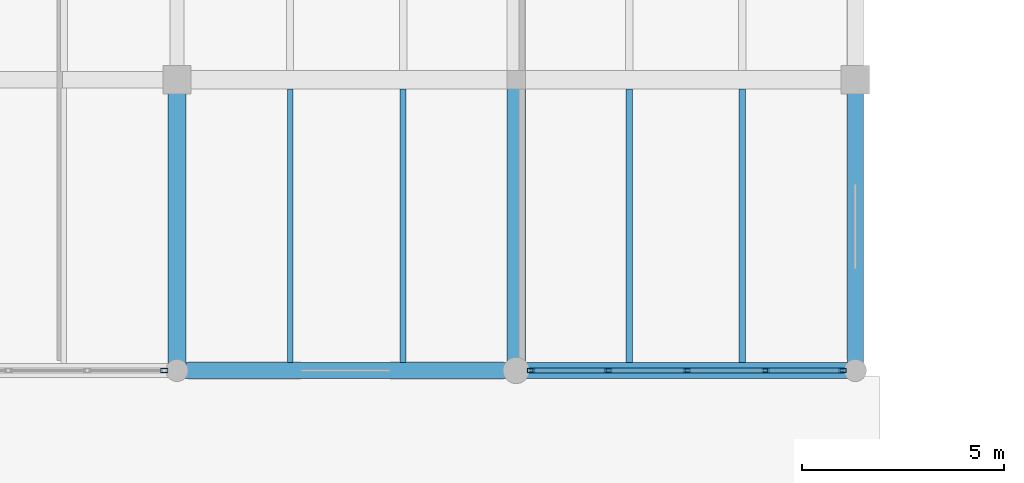
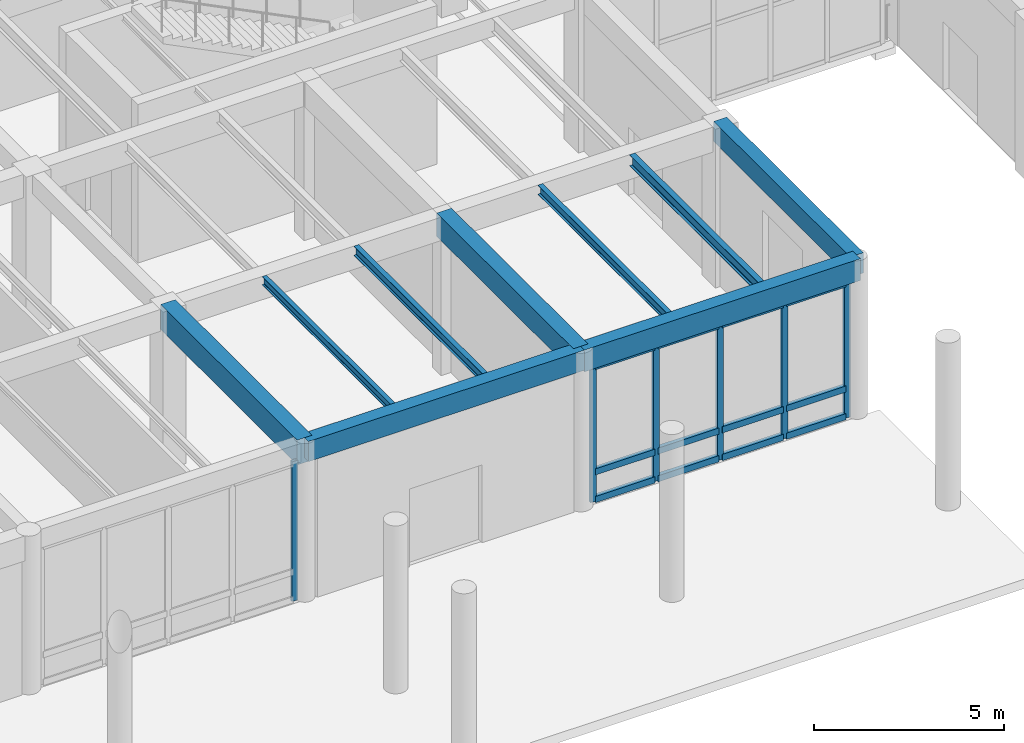
# One storey, part 43 of 169: 18 members, 9 beams, 2 elements without a shape of their own.
"""IFC4 building model written with IfcOpenShell, lengths in metres."""

from ifc_helpers import new_model, si_unit, direction, frame, origin, origin_2d, place, context, subcontext, project, spatial, rectangle, hollow_rectangle, i_section, extrude, material, layer, layer_set, material_profile, profile_set, type_object, element, aggregate, save


model = new_model("IFC4")

# Units and contexts
model_context = context("Model", 3, precision=1e-05, world=origin(), true_north=direction((0.0, 1.0)))
body_context = subcontext(model_context, "Body", "Model", "MODEL_VIEW")
ifc_project = project(units=[si_unit("LENGTHUNIT", "METRE"), si_unit("AREAUNIT", "SQUARE_METRE"), si_unit("VOLUMEUNIT", "CUBIC_METRE"), si_unit("PLANEANGLEUNIT", "RADIAN"), si_unit("MASSUNIT", "GRAM", prefix="KILO")], contexts=[model_context])

# Site, building, storey
site_placement = place(None, origin())
site = spatial("IfcSite", under=ifc_project, at=site_placement, CompositionType="ELEMENT")
building_placement = place(site_placement, origin())
building = spatial("IfcBuilding", under=site, at=building_placement, Name="Mazaris Harbour Polytechnic", CompositionType="ELEMENT")
storey_placement = place(building_placement, origin())
storey = spatial("IfcBuildingStorey", under=building, at=storey_placement, Name="L00", CompositionType="ELEMENT", Elevation=0.0)

# Curtain wall, member
ifc_material_1 = material(Name="Anodised Bronze Aluminium and Low-E Glass", Category="aluminium")
ifc_layer = layer(ifc_material_1, 0.179931640625, Name="Anodised Bronze Aluminium and Low-E Glass")
ifc_layer_set = layer_set([ifc_layer], Name="Anodised Bronze Aluminium and Low-E Glass")
curtain_wall_type = type_object("IfcCurtainWallType", Name="Harbour Colonnade Curtain Wall", PredefinedType="NOTDEFINED", material=ifc_layer_set)
curtain_wall_1_placement = place(storey_placement, origin())
curtain_wall_1 = element("IfcCurtainWall", 1, at=curtain_wall_1_placement, inside=storey, type_object=curtain_wall_type, Name="V3 L00 Curtain Wall 62", PredefinedType="NOTDEFINED")
ifc_material_2 = material(Name="Anodised Bronze Steel S355", Category="steel")
ifc_material_profile_1 = material_profile(ifc_material_2, hollow_rectangle(XDim=0.10009765625, YDim=0.179931640625, WallThickness=0.008056640625, at=origin_2d()), Name="RHS 100x180x8.0")
ifc_profile_set_1 = profile_set([ifc_material_profile_1], Name="Anodised Bronze Steel S355")
member_type_1 = type_object("IfcMemberType", Name="Curtain Mullion RHS100x180", PredefinedType="MULLION", material=ifc_profile_set_1)
member_1_placement = place(storey_placement, frame((95.68310546875, 7.199951171875, 0.0), z_axis=(0.0, 0.0, 1.0), x_axis=(0.0, -1.0, 0.0)))
member_1 = element("IfcMember", 2, at=member_1_placement, type_object=member_type_1, Name="CW-01 mullion 1", PredefinedType="MULLION", context=body_context, shape_type="SweptSolid", body=[
    extrude(hollow_rectangle(XDim=0.10009765625, YDim=0.179931640625, WallThickness=0.008056640625, at=origin_2d()), origin(), (0.0, 0.0, 1.0), 4.489990234375),
])
aggregate(curtain_wall_1, [member_1])

# Curtain wall, members
curtain_wall_2_placement = place(storey_placement, origin())
curtain_wall_2 = element("IfcCurtainWall", 3, at=curtain_wall_2_placement, inside=storey, type_object=curtain_wall_type, Name="V3 L00 Curtain Wall 63", PredefinedType="NOTDEFINED")
member_2_placement = place(storey_placement, frame((112.48291015625, 7.199951171875, 0.0), z_axis=(0.0, 0.0, 1.0), x_axis=(0.0, -1.0, 0.0)))
member_2 = element("IfcMember", 4, at=member_2_placement, type_object=member_type_1, Name="CW-01 mullion 1", PredefinedType="MULLION", context=body_context, shape_type="SweptSolid", body=[
    extrude(hollow_rectangle(XDim=0.10009765625, YDim=0.179931640625, WallThickness=0.008056640625, at=origin_2d()), origin(), (0.0, 0.0, 1.0), 4.389892578125),
])
member_3_placement = place(storey_placement, frame((110.5791015625, 7.199951171875, 0.0), z_axis=(0.0, 0.0, 1.0), x_axis=(0.0, -1.0, 0.0)))
member_3 = element("IfcMember", 5, at=member_3_placement, type_object=member_type_1, Name="CW-01 mullion 2", PredefinedType="MULLION", context=body_context, shape_type="SweptSolid", body=[
    extrude(hollow_rectangle(XDim=0.10009765625, YDim=0.179931640625, WallThickness=0.008056640625, at=origin_2d()), origin(), (0.0, 0.0, 1.0), 4.389892578125),
])
member_4_placement = place(storey_placement, frame((108.625, 7.199951171875, 0.0), z_axis=(0.0, 0.0, 1.0), x_axis=(0.0, -1.0, 0.0)))
member_4 = element("IfcMember", 6, at=member_4_placement, type_object=member_type_1, Name="CW-01 mullion 3", PredefinedType="MULLION", context=body_context, shape_type="SweptSolid", body=[
    extrude(hollow_rectangle(XDim=0.10009765625, YDim=0.179931640625, WallThickness=0.008056640625, at=origin_2d()), origin(), (0.0, 0.0, 1.0), 4.389892578125),
])
member_5_placement = place(storey_placement, frame((106.6708984375, 7.199951171875, 0.0), z_axis=(0.0, 0.0, 1.0), x_axis=(0.0, -1.0, 0.0)))
member_5 = element("IfcMember", 7, at=member_5_placement, type_object=member_type_1, Name="CW-01 mullion 4", PredefinedType="MULLION", context=body_context, shape_type="SweptSolid", body=[
    extrude(hollow_rectangle(XDim=0.10009765625, YDim=0.179931640625, WallThickness=0.008056640625, at=origin_2d()), origin(), (0.0, 0.0, 1.0), 4.389892578125),
])
member_6_placement = place(storey_placement, frame((104.76708984375, 7.199951171875, 0.0), z_axis=(0.0, 0.0, 1.0), x_axis=(0.0, -1.0, 0.0)))
member_6 = element("IfcMember", 8, at=member_6_placement, type_object=member_type_1, Name="CW-01 mullion 5", PredefinedType="MULLION", context=body_context, shape_type="SweptSolid", body=[
    extrude(hollow_rectangle(XDim=0.10009765625, YDim=0.179931640625, WallThickness=0.008056640625, at=origin_2d()), origin(), (0.0, 0.0, 1.0), 4.389892578125),
])
ifc_material_3 = material(Name="Anodised Bronze Steel S355", Category="steel")
ifc_material_profile_2 = material_profile(ifc_material_3, hollow_rectangle(XDim=0.1201171875, YDim=0.199951171875, WallThickness=0.008056640625, at=origin_2d()), Name="RHS 120x200x8.0")
ifc_profile_set_2 = profile_set([ifc_material_profile_2], Name="Anodised Bronze Steel S355")
member_type_2 = type_object("IfcMemberType", Name="Curtain Transom RHS120x200", PredefinedType="USERDEFINED", material=ifc_profile_set_2)
member_7_placement = place(storey_placement, frame((112.43310546875, 7.199951171875, 0.06005859375), z_axis=(-1.0, 0.0, 0.0), x_axis=(0.0, -1.0, 0.0)))
member_7 = element("IfcMember", 9, at=member_7_placement, type_object=member_type_2, Name="CW-01 transom 1.1", ObjectType="TRANSOM", PredefinedType="USERDEFINED", context=body_context, shape_type="SweptSolid", body=[
    extrude(hollow_rectangle(XDim=0.1201171875, YDim=0.199951171875, WallThickness=0.008056640625, at=origin_2d()), origin(), (0.0, 0.0, 1.0), 1.80419921875),
])
member_8_placement = place(storey_placement, frame((112.43310546875, 7.199951171875, 0.949951171875), z_axis=(-1.0, 0.0, 0.0), x_axis=(0.0, -1.0, 0.0)))
member_8 = element("IfcMember", 10, at=member_8_placement, type_object=member_type_2, Name="CW-01 transom 1.2", ObjectType="TRANSOM", PredefinedType="USERDEFINED", context=body_context, shape_type="SweptSolid", body=[
    extrude(hollow_rectangle(XDim=0.1201171875, YDim=0.199951171875, WallThickness=0.008056640625, at=origin_2d()), origin(), (0.0, 0.0, 1.0), 1.80419921875),
])
member_9_placement = place(storey_placement, frame((112.43310546875, 7.199951171875, 4.330078125), z_axis=(-1.0, 0.0, 0.0), x_axis=(0.0, -1.0, 0.0)))
member_9 = element("IfcMember", 11, at=member_9_placement, type_object=member_type_2, Name="CW-01 transom 1.3", ObjectType="TRANSOM", PredefinedType="USERDEFINED", context=body_context, shape_type="SweptSolid", body=[
    extrude(hollow_rectangle(XDim=0.1201171875, YDim=0.199951171875, WallThickness=0.008056640625, at=origin_2d()), origin(), (0.0, 0.0, 1.0), 1.80419921875),
])
member_10_placement = place(storey_placement, frame((110.529052734375, 7.199951171875, 0.06005859375), z_axis=(-1.0, 0.0, 0.0), x_axis=(0.0, -1.0, 0.0)))
member_10 = element("IfcMember", 12, at=member_10_placement, type_object=member_type_2, Name="CW-01 transom 2.1", ObjectType="TRANSOM", PredefinedType="USERDEFINED", context=body_context, shape_type="SweptSolid", body=[
    extrude(hollow_rectangle(XDim=0.1201171875, YDim=0.199951171875, WallThickness=0.008056640625, at=origin_2d()), origin(), (0.0, 0.0, 1.0), 1.85400390625),
])
member_11_placement = place(storey_placement, frame((110.529052734375, 7.199951171875, 0.949951171875), z_axis=(-1.0, 0.0, 0.0), x_axis=(0.0, -1.0, 0.0)))
member_11 = element("IfcMember", 13, at=member_11_placement, type_object=member_type_2, Name="CW-01 transom 2.2", ObjectType="TRANSOM", PredefinedType="USERDEFINED", context=body_context, shape_type="SweptSolid", body=[
    extrude(hollow_rectangle(XDim=0.1201171875, YDim=0.199951171875, WallThickness=0.008056640625, at=origin_2d()), origin(), (0.0, 0.0, 1.0), 1.85400390625),
])
member_12_placement = place(storey_placement, frame((110.529052734375, 7.199951171875, 4.330078125), z_axis=(-1.0, 0.0, 0.0), x_axis=(0.0, -1.0, 0.0)))
member_12 = element("IfcMember", 14, at=member_12_placement, type_object=member_type_2, Name="CW-01 transom 2.3", ObjectType="TRANSOM", PredefinedType="USERDEFINED", context=body_context, shape_type="SweptSolid", body=[
    extrude(hollow_rectangle(XDim=0.1201171875, YDim=0.199951171875, WallThickness=0.008056640625, at=origin_2d()), origin(), (0.0, 0.0, 1.0), 1.85400390625),
])
member_13_placement = place(storey_placement, frame((108.574951171875, 7.199951171875, 0.06005859375), z_axis=(-1.0, 0.0, 0.0), x_axis=(0.0, -1.0, 0.0)))
member_13 = element("IfcMember", 15, at=member_13_placement, type_object=member_type_2, Name="CW-01 transom 3.1", ObjectType="TRANSOM", PredefinedType="USERDEFINED", context=body_context, shape_type="SweptSolid", body=[
    extrude(hollow_rectangle(XDim=0.1201171875, YDim=0.199951171875, WallThickness=0.008056640625, at=origin_2d()), origin(), (0.0, 0.0, 1.0), 1.85400390625),
])
member_14_placement = place(storey_placement, frame((108.574951171875, 7.199951171875, 0.949951171875), z_axis=(-1.0, 0.0, 0.0), x_axis=(0.0, -1.0, 0.0)))
member_14 = element("IfcMember", 16, at=member_14_placement, type_object=member_type_2, Name="CW-01 transom 3.2", ObjectType="TRANSOM", PredefinedType="USERDEFINED", context=body_context, shape_type="SweptSolid", body=[
    extrude(hollow_rectangle(XDim=0.1201171875, YDim=0.199951171875, WallThickness=0.008056640625, at=origin_2d()), origin(), (0.0, 0.0, 1.0), 1.85400390625),
])
member_15_placement = place(storey_placement, frame((108.574951171875, 7.199951171875, 4.330078125), z_axis=(-1.0, 0.0, 0.0), x_axis=(0.0, -1.0, 0.0)))
member_15 = element("IfcMember", 17, at=member_15_placement, type_object=member_type_2, Name="CW-01 transom 3.3", ObjectType="TRANSOM", PredefinedType="USERDEFINED", context=body_context, shape_type="SweptSolid", body=[
    extrude(hollow_rectangle(XDim=0.1201171875, YDim=0.199951171875, WallThickness=0.008056640625, at=origin_2d()), origin(), (0.0, 0.0, 1.0), 1.85400390625),
])
member_16_placement = place(storey_placement, frame((106.62109375, 7.199951171875, 0.06005859375), z_axis=(-1.0, 0.0, 0.0), x_axis=(0.0, -1.0, 0.0)))
member_16 = element("IfcMember", 18, at=member_16_placement, type_object=member_type_2, Name="CW-01 transom 4.1", ObjectType="TRANSOM", PredefinedType="USERDEFINED", context=body_context, shape_type="SweptSolid", body=[
    extrude(hollow_rectangle(XDim=0.1201171875, YDim=0.199951171875, WallThickness=0.008056640625, at=origin_2d()), origin(), (0.0, 0.0, 1.0), 1.80419921875),
])
member_17_placement = place(storey_placement, frame((106.62109375, 7.199951171875, 0.949951171875), z_axis=(-1.0, 0.0, 0.0), x_axis=(0.0, -1.0, 0.0)))
member_17 = element("IfcMember", 19, at=member_17_placement, type_object=member_type_2, Name="CW-01 transom 4.2", ObjectType="TRANSOM", PredefinedType="USERDEFINED", context=body_context, shape_type="SweptSolid", body=[
    extrude(hollow_rectangle(XDim=0.1201171875, YDim=0.199951171875, WallThickness=0.008056640625, at=origin_2d()), origin(), (0.0, 0.0, 1.0), 1.80419921875),
])
member_18_placement = place(storey_placement, frame((106.62109375, 7.199951171875, 4.330078125), z_axis=(-1.0, 0.0, 0.0), x_axis=(0.0, -1.0, 0.0)))
member_18 = element("IfcMember", 20, at=member_18_placement, type_object=member_type_2, Name="CW-01 transom 4.3", ObjectType="TRANSOM", PredefinedType="USERDEFINED", context=body_context, shape_type="SweptSolid", body=[
    extrude(hollow_rectangle(XDim=0.1201171875, YDim=0.199951171875, WallThickness=0.008056640625, at=origin_2d()), origin(), (0.0, 0.0, 1.0), 1.80419921875),
])
aggregate(curtain_wall_2, [member_2, member_3, member_4, member_5, member_6, member_7, member_8, member_9, member_10, member_11, member_12, member_13, member_14, member_15, member_16, member_17, member_18])

# Beams
ifc_material_4 = material(Name="Concrete C35/45", Category="concrete")
ifc_material_profile_3 = material_profile(ifc_material_4, rectangle(XDim=0.39990234375, YDim=0.64990234375, at=origin_2d()), Name="RECT400x650")
ifc_profile_set_3 = profile_set([ifc_material_profile_3], Name="Concrete C35/45")
beam_type_1 = type_object("IfcBeamType", Name="RC Girder 400x650 Exterior", PredefinedType="BEAM", material=ifc_profile_set_3)
beam_1_placement = place(storey_placement, frame((96.0, 7.199951171875, 4.77490234375), z_axis=(1.0, 0.0, 0.0), x_axis=(0.0, 1.0, 0.0)))
element("IfcBeam", 21, at=beam_1_placement, inside=storey, type_object=beam_type_1, Name="V3 L00 Girder 861", PredefinedType="BEAM", context=body_context, shape_type="SweptSolid", body=[
    extrude(rectangle(XDim=0.39990234375, YDim=0.64990234375, at=origin_2d()), origin(), (0.0, 0.0, 1.0), 8.39990234375),
])
beam_2_placement = place(storey_placement, frame((112.800048828125, 7.199951171875, 4.77490234375), z_axis=(0.0, 1.0, 0.0), x_axis=(-1.0, 0.0, 0.0)))
element("IfcBeam", 22, at=beam_2_placement, inside=storey, type_object=beam_type_1, Name="V3 L00 Tie Girder 916", PredefinedType="BEAM", context=body_context, shape_type="SweptSolid", body=[
    extrude(rectangle(XDim=0.39990234375, YDim=0.64990234375, at=origin_2d()), origin(), (0.0, 0.0, 1.0), 7.199951171875),
])
ifc_material_5 = material(Name="Concrete C35/45", Category="concrete")
ifc_material_profile_4 = material_profile(ifc_material_5, rectangle(XDim=0.39990234375, YDim=0.699951171875, at=origin_2d()), Name="RECT400x700")
ifc_profile_set_4 = profile_set([ifc_material_profile_4], Name="Concrete C35/45")
beam_type_2 = type_object("IfcBeamType", Name="RC Girder 400x700 Exterior", PredefinedType="BEAM", material=ifc_profile_set_4)
beam_3_placement = place(storey_placement, frame((104.39990234375, 7.199951171875, 4.75), z_axis=(1.0, 0.0, 0.0), x_axis=(0.0, 1.0, 0.0)))
element("IfcBeam", 23, at=beam_3_placement, inside=storey, type_object=beam_type_2, Name="V3 L00 Girder 862", PredefinedType="BEAM", context=body_context, shape_type="SweptSolid", body=[
    extrude(rectangle(XDim=0.39990234375, YDim=0.699951171875, at=origin_2d()), origin(), (0.0, 0.0, 1.0), 8.400146484375),
])
ifc_material_6 = material(Name="Concrete C40/50", Category="concrete")
ifc_material_profile_5 = material_profile(ifc_material_6, rectangle(XDim=0.449951171875, YDim=0.75, at=origin_2d()), Name="RECT450x750")
ifc_profile_set_5 = profile_set([ifc_material_profile_5], Name="Concrete C40/50")
beam_type_3 = type_object("IfcBeamType", Name="RC Girder 450x750", PredefinedType="BEAM", material=ifc_profile_set_5)
beam_4_placement = place(storey_placement, frame((104.39990234375, 7.199951171875, 4.72509765625), z_axis=(0.0, 1.0, 0.0), x_axis=(-1.0, 0.0, 0.0)))
element("IfcBeam", 24, at=beam_4_placement, inside=storey, type_object=beam_type_3, Name="V3 L00 Tie Girder 913", PredefinedType="BEAM", context=body_context, shape_type="SweptSolid", body=[
    extrude(rectangle(XDim=0.449951171875, YDim=0.75, at=origin_2d()), origin(), (0.0, 0.0, 1.0), 7.199951171875),
])
ifc_material_7 = material(Name="Concrete C40/50", Category="concrete")
ifc_material_profile_6 = material_profile(ifc_material_7, rectangle(XDim=0.449951171875, YDim=0.800048828125, at=origin_2d()), Name="RECT450x800")
ifc_profile_set_6 = profile_set([ifc_material_profile_6], Name="Concrete C40/50")
beam_type_4 = type_object("IfcBeamType", Name="RC Girder 450x800", PredefinedType="BEAM", material=ifc_profile_set_6)
beam_5_placement = place(storey_placement, frame((96.0, 7.199951171875, 4.699951171875), z_axis=(0.0, 1.0, 0.0), x_axis=(-1.0, 0.0, 0.0)))
element("IfcBeam", 25, at=beam_5_placement, inside=storey, type_object=beam_type_4, Name="V3 L00 Tie Girder 909", PredefinedType="BEAM", context=body_context, shape_type="SweptSolid", body=[
    extrude(rectangle(XDim=0.449951171875, YDim=0.800048828125, at=origin_2d()), origin(), (0.0, 0.0, 1.0), 7.199951171875),
])
ifc_material_8 = material(Name="Steel S355", Category="steel")
ifc_material_profile_7 = material_profile(ifc_material_8, i_section(OverallWidth=0.135009765625, OverallDepth=0.27001953125, WebThickness=0.006591796875, FlangeThickness=0.01025390625, FilletRadius=0.014892578125, at=origin_2d()), Name="IPE 270")
ifc_profile_set_7 = profile_set([ifc_material_profile_7], Name="Steel S355")
beam_type_5 = type_object("IfcBeamType", Name="Steel Joist IPE270", PredefinedType="JOIST", material=ifc_profile_set_7)
beam_6_placement = place(storey_placement, frame((98.800048828125, 7.39990234375, 4.965087890625), z_axis=(0.0, 1.0, 0.0), x_axis=(-1.0, 0.0, 0.0)))
element("IfcBeam", 26, at=beam_6_placement, inside=storey, type_object=beam_type_5, Name="V3 L00 Floor Joist 954", PredefinedType="JOIST", context=body_context, shape_type="SweptSolid", body=[
    extrude(i_section(OverallWidth=0.135009765625, OverallDepth=0.27001953125, WebThickness=0.006591796875, FlangeThickness=0.01025390625, FilletRadius=0.014892578125, at=origin_2d()), origin(), (0.0, 0.0, 1.0), 6.775146484375),
])
ifc_material_9 = material(Name="Steel S355", Category="steel")
ifc_material_profile_8 = material_profile(ifc_material_9, i_section(OverallWidth=0.14990234375, OverallDepth=0.300048828125, WebThickness=0.007080078125, FlangeThickness=0.0107421875, FilletRadius=0.014892578125, at=origin_2d()), Name="IPE 300")
ifc_profile_set_8 = profile_set([ifc_material_profile_8], Name="Steel S355")
beam_type_6 = type_object("IfcBeamType", Name="Steel Joist IPE300", PredefinedType="JOIST", material=ifc_profile_set_8)
for number, where, z_axis, x_axis, name in (
    (27, (101.60009765625, 7.39990234375, 4.949951171875), (0.0, 1.0, 0.0), (-1.0, 0.0, 0.0), "V3 L00 Floor Joist 955"),
    (28, (107.199951171875, 7.39990234375, 4.949951171875), (0.0, 1.0, 0.0), (-1.0, 0.0, 0.0), "V3 L00 Floor Joist 962"),
):
    element("IfcBeam", number, at=place(storey_placement, frame(where, z_axis=z_axis, x_axis=x_axis)), inside=storey, type_object=beam_type_6, Name=name, PredefinedType="JOIST", context=body_context, shape_type="SweptSolid", body=[
        extrude(i_section(OverallWidth=0.14990234375, OverallDepth=0.300048828125, WebThickness=0.007080078125, FlangeThickness=0.0107421875, FilletRadius=0.014892578125, at=origin_2d()), origin(), (0.0, 0.0, 1.0), 6.775146484375),
    ])
ifc_material_10 = material(Name="Steel S355", Category="steel")
ifc_material_profile_9 = material_profile(ifc_material_10, i_section(OverallWidth=0.169921875, OverallDepth=0.360107421875, WebThickness=0.008056640625, FlangeThickness=0.0126953125, FilletRadius=0.01806640625, at=origin_2d()), Name="IPE 360")
ifc_profile_set_9 = profile_set([ifc_material_profile_9], Name="Steel S355")
beam_type_7 = type_object("IfcBeamType", Name="Steel Joist IPE360", PredefinedType="JOIST", material=ifc_profile_set_9)
beam_7_placement = place(storey_placement, frame((110.0, 7.39990234375, 4.919921875), z_axis=(0.0, 1.0, 0.0), x_axis=(-1.0, 0.0, 0.0)))
element("IfcBeam", 29, at=beam_7_placement, inside=storey, type_object=beam_type_7, Name="V3 L00 Floor Joist 963", PredefinedType="JOIST", context=body_context, shape_type="SweptSolid", body=[
    extrude(i_section(OverallWidth=0.169921875, OverallDepth=0.360107421875, WebThickness=0.008056640625, FlangeThickness=0.0126953125, FilletRadius=0.01806640625, at=origin_2d()), origin(), (0.0, 0.0, 1.0), 6.775146484375),
])

save(model, "model.ifc")
